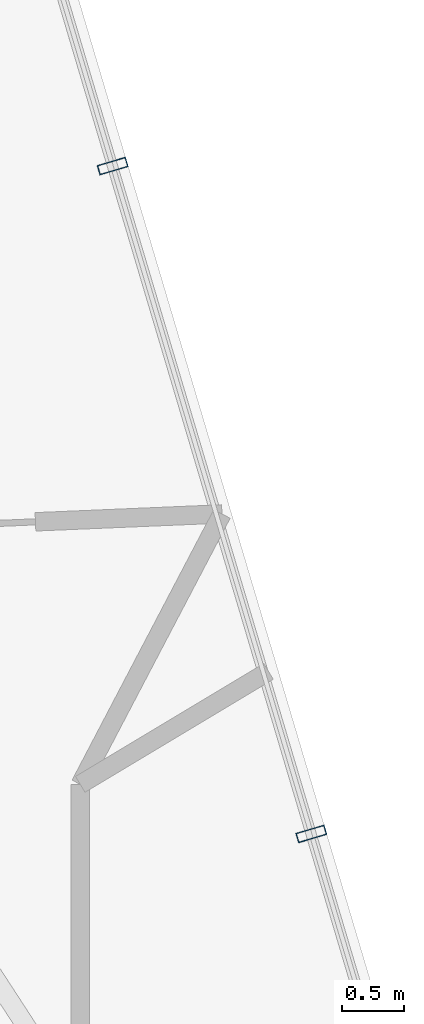
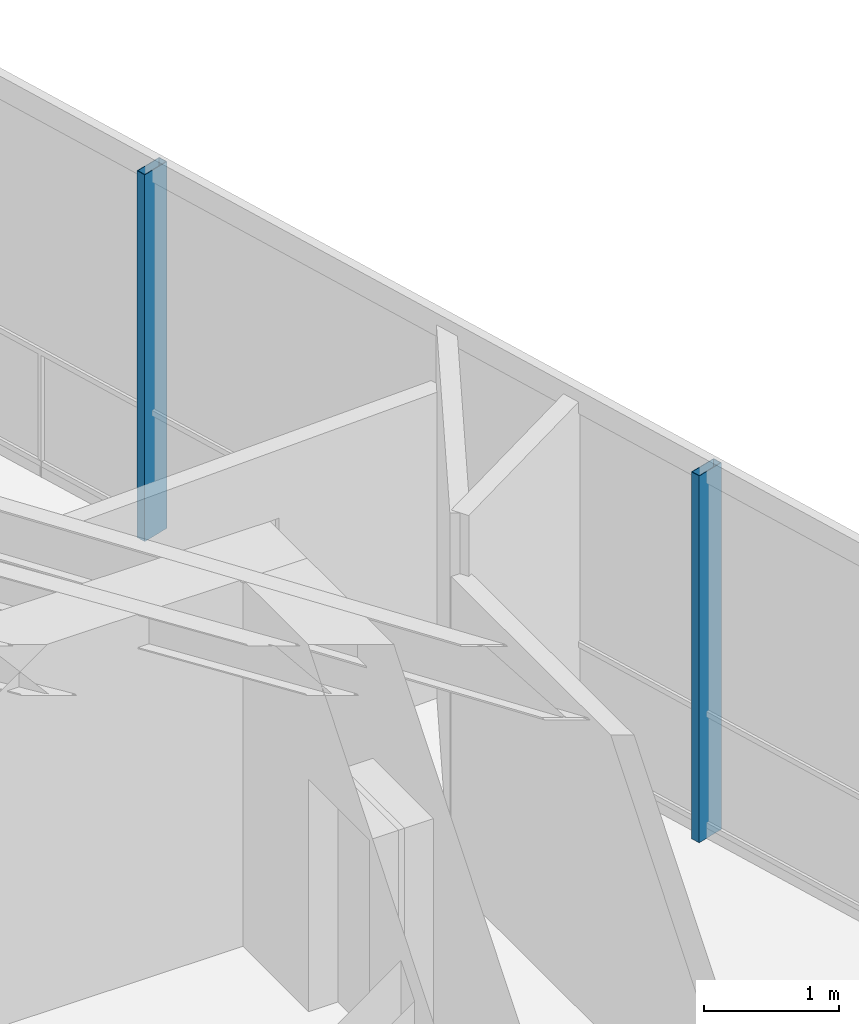
# One storey, part 12 of 18: 2 members, 1 element without a shape of its own.
"""IFC4 building model written with IfcOpenShell, lengths in metres."""

from ifc_helpers import new_model, si_unit, direction, frame, origin, origin_2d, place, context, subcontext, project, spatial, hollow_rectangle, extrude, material, layer, layer_set, material_profile, profile_set, type_object, element, aggregate, save


model = new_model("IFC4")

# Units and contexts
model_context = context("Model", 3, precision=1e-05, world=origin(), true_north=direction((0.0, 1.0)))
body_context = subcontext(model_context, "Body", "Model", "MODEL_VIEW")
ifc_project = project(units=[si_unit("LENGTHUNIT", "METRE"), si_unit("AREAUNIT", "SQUARE_METRE"), si_unit("VOLUMEUNIT", "CUBIC_METRE"), si_unit("PLANEANGLEUNIT", "RADIAN"), si_unit("MASSUNIT", "GRAM", prefix="KILO")], contexts=[model_context])

# Site, building, storey
site_placement = place(None, origin())
site = spatial("IfcSite", under=ifc_project, at=site_placement, CompositionType="ELEMENT")
building_placement = place(site_placement, origin())
building = spatial("IfcBuilding", under=site, at=building_placement, Name="Qarnah Convention Tower", CompositionType="ELEMENT")
storey_placement = place(building_placement, frame((0.0, 0.0, 242.699951171875)))
storey = spatial("IfcBuildingStorey", under=building, at=storey_placement, Name="L65", CompositionType="ELEMENT", Elevation=242.699951171875)

# Curtain wall, members
ifc_material_1 = material(Name="Tempered Low-E dark glass", Category="glass")
ifc_layer = layer(ifc_material_1, 0.176025390625)
ifc_layer_set = layer_set([ifc_layer], Name="Tempered Low-E dark glass")
curtain_wall_type = type_object("IfcCurtainWallType", Name="CWS-05", PredefinedType="NOTDEFINED", material=ifc_layer_set)
curtain_wall_placement = place(storey_placement, origin())
curtain_wall = element("IfcCurtainWall", 1, at=curtain_wall_placement, inside=storey, type_object=curtain_wall_type, Name="L65 unitised curtain wall CW-L65-F2", PredefinedType="NOTDEFINED")
ifc_material_2 = material(Name="Black anodised aluminium", Category="aluminium")
ifc_material_profile = material_profile(ifc_material_2, hollow_rectangle(XDim=0.080078125, YDim=0.239990234375, WallThickness=0.0048828125, at=origin_2d()), Name="MUL-80X240")
ifc_profile_set = profile_set([ifc_material_profile], Name="Black anodised aluminium")
member_type = type_object("IfcMemberType", Name="MUL-T5", PredefinedType="MULLION", material=ifc_profile_set)
member_1_placement = place(storey_placement, frame((49.413330078125, 38.89013671875, 0.0), z_axis=(0.0, 0.0, 1.0), x_axis=(0.285022909469, -0.958520704564, 0.0)))
member_1 = element("IfcMember", 2, at=member_1_placement, type_object=member_type, Name="CW-L65-F2 mullion 2", PredefinedType="MULLION", context=body_context, shape_type="SweptSolid", body=[
    extrude(hollow_rectangle(XDim=0.080078125, YDim=0.239990234375, WallThickness=0.0048828125, at=origin_2d()), origin(), (0.0, 0.0, 1.0), 3.320068359375),
])
member_2_placement = place(storey_placement, frame((51.02685546875, 33.46435546875, 0.0), z_axis=(0.0, 0.0, 1.0), x_axis=(0.285022909469, -0.958520704564, 0.0)))
member_2 = element("IfcMember", 3, at=member_2_placement, type_object=member_type, Name="CW-L65-F2 mullion 3", PredefinedType="MULLION", context=body_context, shape_type="SweptSolid", body=[
    extrude(hollow_rectangle(XDim=0.080078125, YDim=0.239990234375, WallThickness=0.0048828125, at=origin_2d()), origin(), (0.0, 0.0, 1.0), 3.320068359375),
])
aggregate(curtain_wall, [member_1, member_2])

save(model, "model.ifc")
